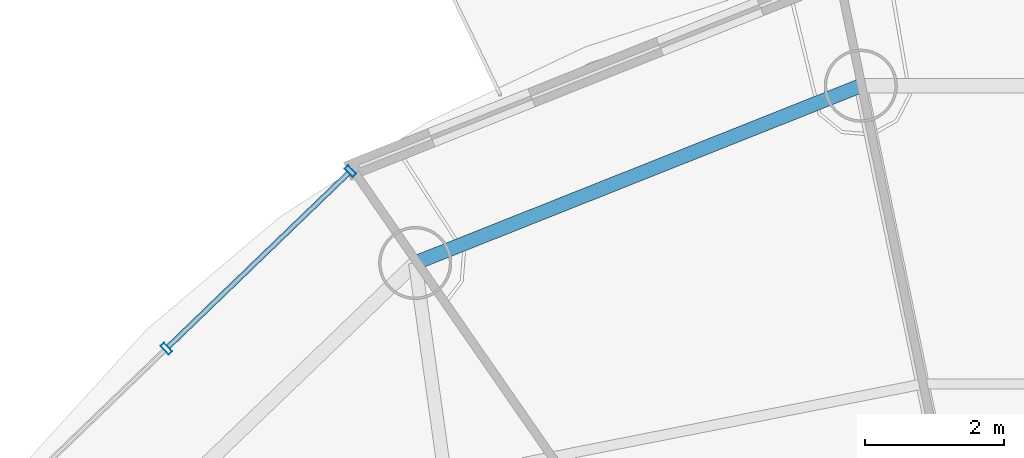
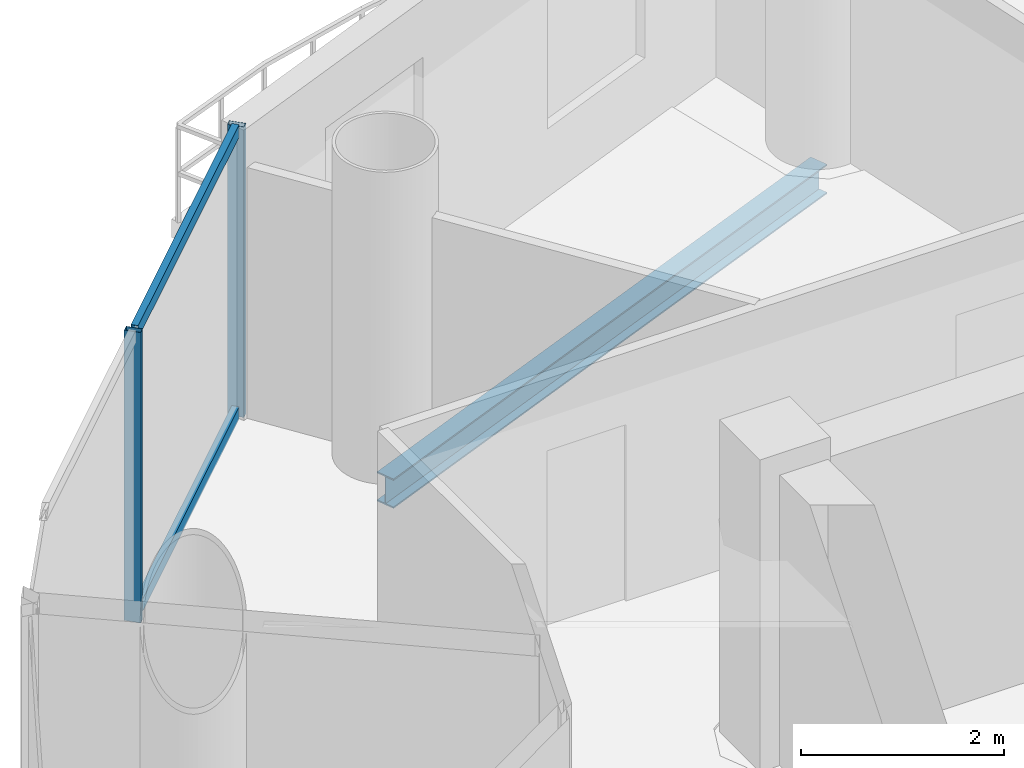
# One storey, part 13 of 23: 4 members, 1 beam, 1 element without a shape of its own.
"""IFC4 building model written with IfcOpenShell, lengths in metres."""

from ifc_helpers import new_model, si_unit, direction, frame, origin, origin_2d, place, context, subcontext, project, spatial, hollow_rectangle, i_section, extrude, source, transform, mapped, material, material_profile, profile_set, type_object, element, aggregate, save


model = new_model("IFC4")

# Units and contexts
model_context = context("Model", 3, precision=1e-05, world=origin(), true_north=direction((-0.2419218956, 0.970295726276)))
body_context = subcontext(model_context, "Body", "Model", "MODEL_VIEW")
ifc_project = project(units=[si_unit("LENGTHUNIT", "METRE"), si_unit("AREAUNIT", "SQUARE_METRE"), si_unit("VOLUMEUNIT", "CUBIC_METRE"), si_unit("PLANEANGLEUNIT", "RADIAN"), si_unit("MASSUNIT", "GRAM", prefix="KILO")], contexts=[model_context])

# Site, building, storey
site_placement = place(None, origin())
site = spatial("IfcSite", under=ifc_project, at=site_placement, CompositionType="ELEMENT")
building_placement = place(site_placement, origin())
building = spatial("IfcBuilding", under=site, at=building_placement, Name="Cobrevalo Terracotta Tower", CompositionType="ELEMENT")
storey_placement = place(building_placement, frame((0.0, 0.0, 251.949951171875)))
storey = spatial("IfcBuildingStorey", under=building, at=storey_placement, Name="L66", CompositionType="ELEMENT", Elevation=251.949951171875)

# Beam
ifc_material_1 = material(Name="Steel S355", Category="steel")
ifc_material_profile_1 = material_profile(ifc_material_1, i_section(OverallWidth=0.205078125, OverallDepth=0.35400390625, WebThickness=0.009521484375, FlangeThickness=0.016845703125, at=origin_2d()), Name="W 360x79")
ifc_profile_set_1 = profile_set([ifc_material_profile_1], Name="Steel S355")
beam_type = type_object("IfcBeamType", Name="Structural Spandrel W 360x79 (Steel S355)", PredefinedType="SPANDREL", material=ifc_profile_set_1)
beam_placement = place(storey_placement, frame((34.537109375, 43.5224609375, -0.43701171875), z_axis=(-0.929149986048, -0.369702993533, 0.0), x_axis=(0.369702993533, -0.929149986048, 0.0)))
element("IfcBeam", 1, at=beam_placement, inside=storey, type_object=beam_type, Name="L66 perimeter ring spandrel 05", PredefinedType="SPANDREL", context=body_context, shape_type="SweptSolid", body=[
    extrude(i_section(OverallWidth=0.205078125, OverallDepth=0.35400390625, WebThickness=0.009521484375, FlangeThickness=0.016845703125, at=origin_2d()), origin(), (0.0, 0.0, 1.0), 6.88623046875),
])

# Curtain wall, members
ifc_material_2 = material(Name="Anodized aluminium", Category="aluminium")
curtain_wall_type = type_object("IfcCurtainWallType", Name="Upper-tower triple-glazed penthouse curtain wall CW-U3", PredefinedType="NOTDEFINED", material=ifc_material_2)
curtain_wall_placement = place(storey_placement, origin())
curtain_wall = element("IfcCurtainWall", 2, at=curtain_wall_placement, inside=storey, type_object=curtain_wall_type, Name="L66 curtain wall CW-L66-S06", PredefinedType="NOTDEFINED")
ifc_material_profile_2 = material_profile(ifc_material_2, hollow_rectangle(XDim=0.070068359375, YDim=0.169921875, WallThickness=0.00439453125, at=origin_2d()), Name="CWM 70x170")
ifc_profile_set_2 = profile_set([ifc_material_profile_2], Name="Anodized aluminium")
member_type_1 = type_object("IfcMemberType", Name="Upper tower unitised mullion 70x170", PredefinedType="MULLION", material=ifc_profile_set_2)
shared_shape_1 = source(origin(), body_context, "Body", "SweptSolid", [
    extrude(hollow_rectangle(XDim=0.070068359375, YDim=0.169921875, WallThickness=0.00439453125, at=origin_2d()), origin(), (0.0, 0.0, 1.0), 3.489990234375),
])
member_1_placement = place(storey_placement, frame((27.209716796875, 42.2958984375, 0.0), z_axis=(0.0, 0.0, 1.0), x_axis=(-0.71999418085, -0.69398010025, 0.0)))
member_1 = element("IfcMember", 3, at=member_1_placement, type_object=member_type_1, Name="CW-L66-S06 vertical mullion 01", PredefinedType="MULLION", context=body_context, shape_type="MappedRepresentation", body=[
    mapped(shared_shape_1, transform((0.0, 0.0, 0.0), scale=1.0)),
])
member_2_placement = place(storey_placement, frame((24.56640625, 39.748046875, 0.0), z_axis=(0.0, 0.0, 1.0), x_axis=(-0.71999418085, -0.69398010025, 0.0)))
member_2 = element("IfcMember", 4, at=member_2_placement, type_object=member_type_1, Name="CW-L66-S06 vertical mullion 02", PredefinedType="MULLION", context=body_context, shape_type="MappedRepresentation", body=[
    mapped(shared_shape_1, transform((0.0, 0.0, 0.0), scale=1.0)),
])
ifc_material_profile_3 = material_profile(ifc_material_2, hollow_rectangle(XDim=0.074951171875, YDim=0.14990234375, WallThickness=0.00439453125, at=origin_2d()), Name="CWT 75x150")
ifc_profile_set_3 = profile_set([ifc_material_profile_3], Name="Anodized aluminium")
member_type_2 = type_object("IfcMemberType", Name="Tower unitised aluminium transom 75x150", PredefinedType="USERDEFINED", material=ifc_profile_set_3)
shared_shape_2 = source(origin(), body_context, "Body", "SweptSolid", [
    extrude(hollow_rectangle(XDim=0.074951171875, YDim=0.14990234375, WallThickness=0.00439453125, at=origin_2d()), origin(), (0.0, 0.0, 1.0), 3.59130859375),
])
member_3_placement = place(storey_placement, frame((27.180908203125, 42.26806640625, 0.050048828125), z_axis=(-0.720005628362, -0.693968223427, 0.0), x_axis=(0.693968223427, -0.720005628362, 0.0)))
member_3 = element("IfcMember", 5, at=member_3_placement, type_object=member_type_2, Name="CW-L66-S06 transom B01-T1", ObjectType="TRANSOM", PredefinedType="USERDEFINED", context=body_context, shape_type="MappedRepresentation", body=[
    mapped(shared_shape_2, transform((0.0, 0.0, 0.0), scale=1.0)),
])
member_4_placement = place(storey_placement, frame((27.180908203125, 42.26806640625, 3.43994140625), z_axis=(-0.720005628362, -0.693968223427, 0.0), x_axis=(0.693968223427, -0.720005628362, 0.0)))
member_4 = element("IfcMember", 6, at=member_4_placement, type_object=member_type_2, Name="CW-L66-S06 transom B01-T2", ObjectType="TRANSOM", PredefinedType="USERDEFINED", context=body_context, shape_type="MappedRepresentation", body=[
    mapped(shared_shape_2, transform((0.0, 0.0, 0.0), scale=1.0)),
])
aggregate(curtain_wall, [member_1, member_2, member_3, member_4])

save(model, "model.ifc")
